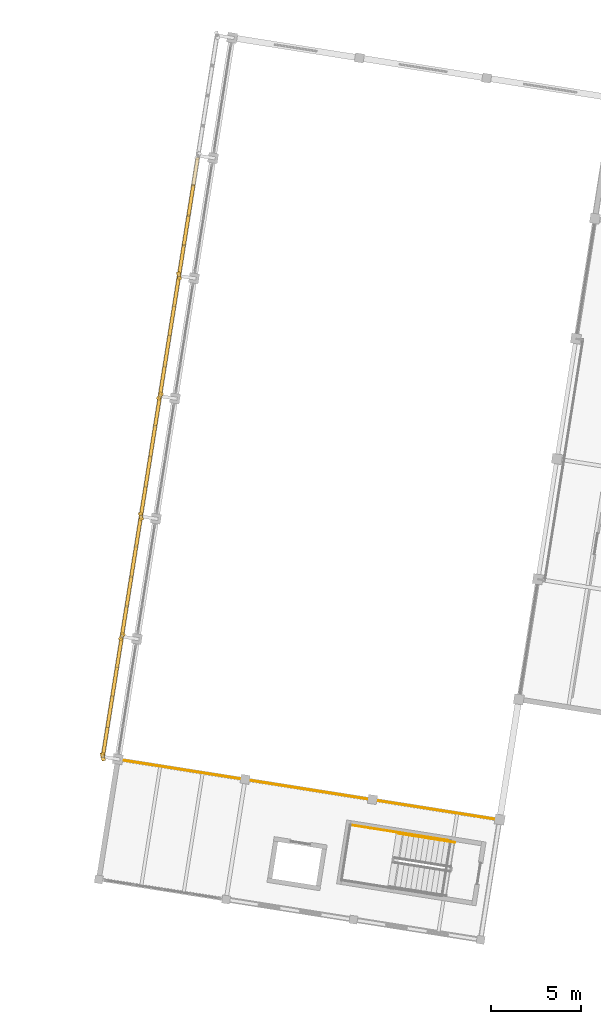
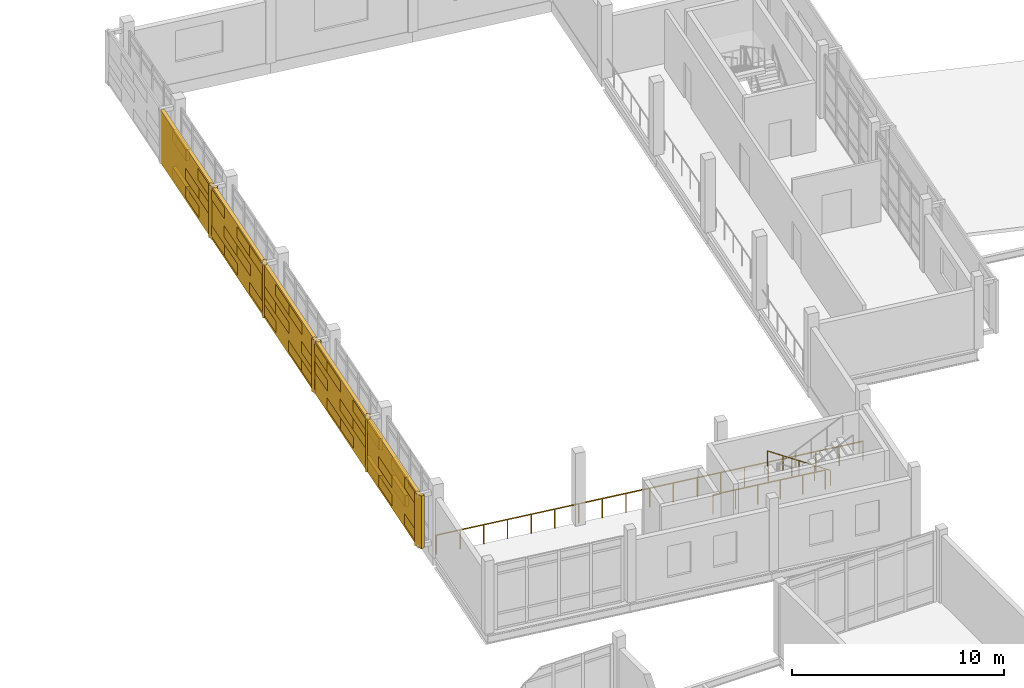
# One storey, part 128 of 137: 43 coverings, 5 shading devices, 3 railings.
"""IFC4 building model written with IfcOpenShell, lengths in metres."""

from ifc_helpers import new_model, si_unit, direction, frame, origin, origin_2d, place, context, subcontext, project, spatial, rectangle, circle, extrude, material, layer, layer_set, type_object, element, save


model = new_model("IFC4")

# Units and contexts
model_context = context("Model", 3, precision=1e-05, world=origin(), true_north=direction((0.0, 1.0)))
body_context = subcontext(model_context, "Body", "Model", "MODEL_VIEW")
ifc_project = project(units=[si_unit("LENGTHUNIT", "METRE"), si_unit("AREAUNIT", "SQUARE_METRE"), si_unit("VOLUMEUNIT", "CUBIC_METRE"), si_unit("PLANEANGLEUNIT", "RADIAN"), si_unit("MASSUNIT", "GRAM", prefix="KILO")], contexts=[model_context])

# Site, building, storey
site_placement = place(None, origin())
site = spatial("IfcSite", under=ifc_project, at=site_placement, CompositionType="ELEMENT")
building_placement = place(site_placement, origin())
building = spatial("IfcBuilding", under=site, at=building_placement, Name="Cinderway Yard Community Centre", CompositionType="ELEMENT")
storey_placement = place(building_placement, frame((0.0, 0.0, 4.800048828125)))
storey = spatial("IfcBuildingStorey", under=building, at=storey_placement, Name="L01", CompositionType="ELEMENT", Elevation=4.800048828125)

# Coverings
ifc_material_1 = material(Name="Brick Masonry", Category="masonry")
ifc_layer = layer(ifc_material_1, 0.18994140625, Name="Brick Masonry")
ifc_layer_set = layer_set([ifc_layer], Name="Brick Masonry")
covering_type = type_object("IfcCoveringType", Name="ENV-COV-BRK-SCREEN", PredefinedType="CLADDING", material=ifc_layer_set)
for number, where, z_axis, x_axis, name in (
    (1, (117.159912109375, 38.133056640625, 0.64990234375), (0.0, 0.0, 1.0), (-0.258819045103, 0.965925826289, 0.0), "Deconstructivist folded brick fin 1283"),
    (2, (118.22412109375, 44.84912109375, 0.64990234375), (0.0, 0.0, 1.0), (0.544639035015, 0.838670567945, 0.0), "Deconstructivist folded brick fin 1284"),
    (3, (119.2880859375, 51.56591796875, 0.64990234375), (0.0, 0.0, 1.0), (-0.258819045103, 0.965925826289, 0.0), "Deconstructivist folded brick fin 1285"),
    (4, (120.35107421875, 58.281982421875, 0.64990234375), (0.0, 0.0, 1.0), (0.544639035015, 0.838670567945, 0.0), "Deconstructivist folded brick fin 1286"),
    (5, (121.4150390625, 64.998046875, 0.64990234375), (0.0, 0.0, 1.0), (-0.258819045103, 0.965925826289, 0.0), "Deconstructivist folded brick fin 1287"),
):
    element("IfcCovering", number, at=place(storey_placement, frame(where, z_axis=z_axis, x_axis=x_axis)), inside=storey, type_object=covering_type, Name=name, PredefinedType="CLADDING", context=body_context, shape_type="SweptSolid", body=[
        extrude(rectangle(XDim=0.4599609375, YDim=0.199951171875, at=origin_2d()), origin(), (0.0, 0.0, 1.0), 3.050048828125),
    ])
for number, where, z_axis, x_axis, name in (
    (6, (117.29296875, 38.972900390625, 0.7900390625), (0.0, 0.0, 1.0), (0.15643446504, 0.987688340595, 0.0), "Open-bond perforated brick screen course 01290"),
    (7, (117.824951171875, 42.3310546875, 0.7900390625), (0.0, 0.0, 1.0), (0.15643446504, 0.987688340595, 0.0), "Open-bond perforated brick screen course 01291"),
    (8, (118.091064453125, 44.009033203125, 0.7900390625), (0.0, 0.0, 1.0), (0.15643446504, 0.987688340595, 0.0), "Open-bond perforated brick screen course 01292"),
    (9, (117.55908203125, 40.65087890625, 1.85205078125), (0.0, 0.0, 1.0), (0.15643446504, 0.987688340595, 0.0), "Open-bond perforated brick screen course 01293"),
    (10, (117.824951171875, 42.3310546875, 1.85205078125), (0.0, 0.0, 1.0), (0.15643446504, 0.987688340595, 0.0), "Open-bond perforated brick screen course 01294"),
    (11, (117.29296875, 38.972900390625, 2.9140625), (0.0, 0.0, 1.0), (0.15643446504, 0.987688340595, 0.0), "Open-bond perforated brick screen course 01295"),
    (12, (117.55908203125, 40.65087890625, 2.9140625), (0.0, 0.0, 1.0), (0.15643446504, 0.987688340595, 0.0), "Open-bond perforated brick screen course 01296"),
    (13, (118.091064453125, 44.009033203125, 2.9140625), (0.0, 0.0, 1.0), (0.15643446504, 0.987688340595, 0.0), "Open-bond perforated brick screen course 01297"),
    (14, (118.623046875, 47.367919921875, 0.7900390625), (0.0, 0.0, 1.0), (0.15643446504, 0.987688340595, 0.0), "Open-bond perforated brick screen course 01298"),
    (15, (118.888916015625, 49.047119140625, 0.7900390625), (0.0, 0.0, 1.0), (0.15643446504, 0.987688340595, 0.0), "Open-bond perforated brick screen course 01299"),
    (16, (118.35693359375, 45.68896484375, 1.85205078125), (0.0, 0.0, 1.0), (0.15643446504, 0.987688340595, 0.0), "Open-bond perforated brick screen course 01300"),
    (17, (118.623046875, 47.367919921875, 1.85205078125), (0.0, 0.0, 1.0), (0.15643446504, 0.987688340595, 0.0), "Open-bond perforated brick screen course 01301"),
    (18, (119.155029296875, 50.72607421875, 1.85205078125), (0.0, 0.0, 1.0), (0.15643446504, 0.987688340595, 0.0), "Open-bond perforated brick screen course 01302"),
    (19, (118.35693359375, 45.68896484375, 2.9140625), (0.0, 0.0, 1.0), (0.15643446504, 0.987688340595, 0.0), "Open-bond perforated brick screen course 01303"),
    (20, (118.888916015625, 49.047119140625, 2.9140625), (0.0, 0.0, 1.0), (0.15643446504, 0.987688340595, 0.0), "Open-bond perforated brick screen course 01304"),
    (21, (119.155029296875, 50.72607421875, 2.9140625), (0.0, 0.0, 1.0), (0.15643446504, 0.987688340595, 0.0), "Open-bond perforated brick screen course 01305"),
    (22, (119.4208984375, 52.406005859375, 0.7900390625), (0.0, 0.0, 1.0), (0.15643446504, 0.987688340595, 0.0), "Open-bond perforated brick screen course 01306"),
    (23, (119.68701171875, 54.083984375, 0.7900390625), (0.0, 0.0, 1.0), (0.15643446504, 0.987688340595, 0.0), "Open-bond perforated brick screen course 01307"),
    (24, (120.218017578125, 57.44189453125, 0.7900390625), (0.0, 0.0, 1.0), (0.15643446504, 0.987688340595, 0.0), "Open-bond perforated brick screen course 01308"),
    (25, (119.4208984375, 52.406005859375, 1.85205078125), (0.0, 0.0, 1.0), (0.15643446504, 0.987688340595, 0.0), "Open-bond perforated brick screen course 01309"),
    (26, (119.951904296875, 55.763916015625, 1.85205078125), (0.0, 0.0, 1.0), (0.15643446504, 0.987688340595, 0.0), "Open-bond perforated brick screen course 01310"),
    (27, (120.218017578125, 57.44189453125, 1.85205078125), (0.0, 0.0, 1.0), (0.15643446504, 0.987688340595, 0.0), "Open-bond perforated brick screen course 01311"),
    (28, (119.68701171875, 54.083984375, 2.9140625), (0.0, 0.0, 1.0), (0.15643446504, 0.987688340595, 0.0), "Open-bond perforated brick screen course 01312"),
    (29, (119.951904296875, 55.763916015625, 2.9140625), (0.0, 0.0, 1.0), (0.15643446504, 0.987688340595, 0.0), "Open-bond perforated brick screen course 01313"),
    (30, (120.48388671875, 59.12109375, 0.7900390625), (0.0, 0.0, 1.0), (0.15643446504, 0.987688340595, 0.0), "Open-bond perforated brick screen course 01314"),
    (31, (121.01611328125, 62.47998046875, 0.7900390625), (0.0, 0.0, 1.0), (0.15643446504, 0.987688340595, 0.0), "Open-bond perforated brick screen course 01315"),
    (32, (121.281982421875, 64.158935546875, 0.7900390625), (0.0, 0.0, 1.0), (0.15643446504, 0.987688340595, 0.0), "Open-bond perforated brick screen course 01316"),
    (33, (120.75, 60.800048828125, 1.85205078125), (0.0, 0.0, 1.0), (0.15643446504, 0.987688340595, 0.0), "Open-bond perforated brick screen course 01317"),
    (34, (121.01611328125, 62.47998046875, 1.85205078125), (0.0, 0.0, 1.0), (0.15643446504, 0.987688340595, 0.0), "Open-bond perforated brick screen course 01318"),
    (35, (120.48388671875, 59.12109375, 2.9140625), (0.0, 0.0, 1.0), (0.15643446504, 0.987688340595, 0.0), "Open-bond perforated brick screen course 01319"),
    (36, (120.75, 60.800048828125, 2.9140625), (0.0, 0.0, 1.0), (0.15643446504, 0.987688340595, 0.0), "Open-bond perforated brick screen course 01320"),
    (37, (121.281982421875, 64.158935546875, 2.9140625), (0.0, 0.0, 1.0), (0.15643446504, 0.987688340595, 0.0), "Open-bond perforated brick screen course 01321"),
    (38, (121.81396484375, 67.51708984375, 0.7900390625), (0.0, 0.0, 1.0), (0.15643446504, 0.987688340595, 0.0), "Open-bond perforated brick screen course 01322"),
    (39, (122.080078125, 69.195068359375, 0.7900390625), (0.0, 0.0, 1.0), (0.15643446504, 0.987688340595, 0.0), "Open-bond perforated brick screen course 01323"),
    (40, (121.548095703125, 65.837890625, 1.85205078125), (0.0, 0.0, 1.0), (0.15643446504, 0.987688340595, 0.0), "Open-bond perforated brick screen course 01324"),
    (41, (121.81396484375, 67.51708984375, 1.85205078125), (0.0, 0.0, 1.0), (0.15643446504, 0.987688340595, 0.0), "Open-bond perforated brick screen course 01325"),
    (42, (121.548095703125, 65.837890625, 2.9140625), (0.0, 0.0, 1.0), (0.15643446504, 0.987688340595, 0.0), "Open-bond perforated brick screen course 01327"),
    (43, (122.080078125, 69.195068359375, 2.9140625), (0.0, 0.0, 1.0), (0.15643446504, 0.987688340595, 0.0), "Open-bond perforated brick screen course 01328"),
):
    element("IfcCovering", number, at=place(storey_placement, frame(where, z_axis=z_axis, x_axis=x_axis)), inside=storey, type_object=covering_type, Name=name, PredefinedType="CLADDING", context=body_context, shape_type="SweptSolid", body=[
        extrude(rectangle(XDim=1.780029296875, YDim=0.18994140625, at=origin_2d()), origin(), (0.0, 0.0, 1.0), 0.64599609375),
    ])

# Shading devices
shading_device_type = type_object("IfcShadingDeviceType", Name="ENV-SHD-BRICKSCREEN-A", PredefinedType="USERDEFINED", material=ifc_material_1)
shading_device_1_placement = place(storey_placement, frame((117.69189453125, 41.490966796875, 0.64990234375), z_axis=(0.0, 0.0, 1.0), x_axis=(0.15643446504, 0.987688340595, 0.0)))
element("IfcShadingDevice", 44, at=shading_device_1_placement, inside=storey, type_object=shading_device_type, Name="Sports Hall Courtyard Perforated Brick Screen 0975", ObjectType="PERFORATED BRICK SCREEN", PredefinedType="USERDEFINED", context=body_context, shape_type="SweptSolid", body=[
    extrude(rectangle(XDim=6.60009765625, YDim=0.18994140625, at=origin_2d()), origin(), (0.0, 0.0, 1.0), 3.050048828125),
])
shading_device_2_placement = place(storey_placement, frame((118.756103515625, 48.20703125, 0.64990234375), z_axis=(0.0, 0.0, 1.0), x_axis=(0.15643446504, 0.987688340595, 0.0)))
element("IfcShadingDevice", 45, at=shading_device_2_placement, inside=storey, type_object=shading_device_type, Name="Sports Hall Courtyard Perforated Brick Screen 0982", ObjectType="PERFORATED BRICK SCREEN", PredefinedType="USERDEFINED", context=body_context, shape_type="SweptSolid", body=[
    extrude(rectangle(XDim=6.60107421875, YDim=0.18994140625, at=origin_2d()), origin(), (0.0, 0.0, 1.0), 3.050048828125),
])
for number, where, z_axis, x_axis, name in (
    (46, (119.820068359375, 54.924072265625, 0.64990234375), (0.0, 0.0, 1.0), (0.15643446504, 0.987688340595, 0.0), "Sports Hall Courtyard Perforated Brick Screen 0989"),
    (47, (120.883056640625, 61.639892578125, 0.64990234375), (0.0, 0.0, 1.0), (0.15643446504, 0.987688340595, 0.0), "Sports Hall Courtyard Perforated Brick Screen 0996"),
    (48, (121.947021484375, 68.35595703125, 0.64990234375), (0.0, 0.0, 1.0), (0.15643446504, 0.987688340595, 0.0), "Sports Hall Courtyard Perforated Brick Screen 1003"),
):
    element("IfcShadingDevice", number, at=place(storey_placement, frame(where, z_axis=z_axis, x_axis=x_axis)), inside=storey, type_object=shading_device_type, Name=name, ObjectType="PERFORATED BRICK SCREEN", PredefinedType="USERDEFINED", context=body_context, shape_type="SweptSolid", body=[
        extrude(rectangle(XDim=6.60009765625, YDim=0.18994140625, at=origin_2d()), origin(), (0.0, 0.0, 1.0), 3.050048828125),
    ])

# Railings
ifc_material_2 = material(Name="Painted Galvanised Steel", Category="steel")
railing_type_1 = type_object("IfcRailingType", Name="INT-RAL-BAL112", PredefinedType="BALUSTRADE", material=ifc_material_2)
railing_1_placement = place(storey_placement, frame((117.9970703125, 37.97998046875, 0.0)))
element("IfcRailing", 49, at=railing_1_placement, inside=storey, type_object=railing_type_1, Name="Sports South Overlook Guard L01 013", PredefinedType="BALUSTRADE", context=body_context, shape_type="SweptSolid", body=[
    extrude(circle(Radius=0.02392578125, at=origin_2d()), frame((0.0, 0.0, 1.09619140625), z_axis=(0.987688805013, -0.156431532791, 0.0), x_axis=(0.156431532791, 0.987688805013, 0.0)), (0.0, 0.0, 1.0), 21.599853515625),
    extrude(circle(Radius=0.02099609375, at=origin_2d()), origin(), (0.0, 0.0, 1.0), 1.072021484375),
    extrude(circle(Radius=0.02099609375, at=origin_2d()), frame((1.185302734375, -0.187744140625, 0.0)), (0.0, 0.0, 1.0), 1.072021484375),
    extrude(circle(Radius=0.02099609375, at=origin_2d()), frame((2.370361328125, -0.37548828125, 0.0)), (0.0, 0.0, 1.0), 1.072021484375),
    extrude(circle(Radius=0.02099609375, at=origin_2d()), frame((3.5556640625, -0.563232421875, 0.0)), (0.0, 0.0, 1.0), 1.072021484375),
    extrude(circle(Radius=0.02099609375, at=origin_2d()), frame((4.740966796875, -0.7509765625, 0.0)), (0.0, 0.0, 1.0), 1.072021484375),
    extrude(circle(Radius=0.02099609375, at=origin_2d()), frame((5.926025390625, -0.9384765625, 0.0)), (0.0, 0.0, 1.0), 1.072021484375),
    extrude(circle(Radius=0.02099609375, at=origin_2d()), frame((7.111328125, -1.126220703125, 0.0)), (0.0, 0.0, 1.0), 1.072021484375),
    extrude(circle(Radius=0.02099609375, at=origin_2d()), frame((8.296630859375, -1.31396484375, 0.0)), (0.0, 0.0, 1.0), 1.072021484375),
    extrude(circle(Radius=0.02099609375, at=origin_2d()), frame((9.481689453125, -1.501708984375, 0.0)), (0.0, 0.0, 1.0), 1.072021484375),
    extrude(circle(Radius=0.02099609375, at=origin_2d()), frame((10.6669921875, -1.689453125, 0.0)), (0.0, 0.0, 1.0), 1.072021484375),
    extrude(circle(Radius=0.02099609375, at=origin_2d()), frame((11.852294921875, -1.877197265625, 0.0)), (0.0, 0.0, 1.0), 1.072021484375),
    extrude(circle(Radius=0.02099609375, at=origin_2d()), frame((13.037353515625, -2.06494140625, 0.0)), (0.0, 0.0, 1.0), 1.072021484375),
    extrude(circle(Radius=0.02099609375, at=origin_2d()), frame((14.22265625, -2.252685546875, 0.0)), (0.0, 0.0, 1.0), 1.072021484375),
    extrude(circle(Radius=0.02099609375, at=origin_2d()), frame((15.407958984375, -2.4404296875, 0.0)), (0.0, 0.0, 1.0), 1.072021484375),
    extrude(circle(Radius=0.02099609375, at=origin_2d()), frame((16.593017578125, -2.6279296875, 0.0)), (0.0, 0.0, 1.0), 1.072021484375),
    extrude(circle(Radius=0.02099609375, at=origin_2d()), frame((17.7783203125, -2.815673828125, 0.0)), (0.0, 0.0, 1.0), 1.072021484375),
    extrude(circle(Radius=0.02099609375, at=origin_2d()), frame((18.963623046875, -3.00341796875, 0.0)), (0.0, 0.0, 1.0), 1.072021484375),
    extrude(circle(Radius=0.02099609375, at=origin_2d()), frame((20.148681640625, -3.191162109375, 0.0)), (0.0, 0.0, 1.0), 1.072021484375),
    extrude(circle(Radius=0.02099609375, at=origin_2d()), frame((21.333984375, -3.37890625, 0.0)), (0.0, 0.0, 1.0), 1.072021484375),
])
railing_type_2 = type_object("IfcRailingType", Name="INT-RAL-GRD112", PredefinedType="GUARDRAIL", material=ifc_material_2)
railing_2_placement = place(storey_placement, frame((136.594970703125, 33.43603515625, 0.0)))
element("IfcRailing", 50, at=railing_2_placement, inside=storey, type_object=railing_type_2, Name="Service void perimeter guard L01 062", PredefinedType="GUARDRAIL", context=body_context, shape_type="SweptSolid", body=[
    extrude(circle(Radius=0.02392578125, at=origin_2d()), frame((0.0, 0.0, 1.09619140625), z_axis=(-0.987703994139, 0.15633560043, 0.0), x_axis=(-0.15633560043, -0.987703994139, 0.0)), (0.0, 0.0, 1.0), 5.6796875),
    extrude(circle(Radius=0.02099609375, at=origin_2d()), origin(), (0.0, 0.0, 1.0), 1.072021484375),
    extrude(circle(Radius=0.02099609375, at=origin_2d()), frame((-1.1220703125, 0.177490234375, 0.0)), (0.0, 0.0, 1.0), 1.072021484375),
    extrude(circle(Radius=0.02099609375, at=origin_2d()), frame((-2.243896484375, 0.355224609375, 0.0)), (0.0, 0.0, 1.0), 1.072021484375),
    extrude(circle(Radius=0.02099609375, at=origin_2d()), frame((-3.365966796875, 0.53271484375, 0.0)), (0.0, 0.0, 1.0), 1.072021484375),
    extrude(circle(Radius=0.02099609375, at=origin_2d()), frame((-4.48779296875, 0.71044921875, 0.0)), (0.0, 0.0, 1.0), 1.072021484375),
    extrude(circle(Radius=0.02099609375, at=origin_2d()), frame((-5.60986328125, 0.887939453125, 0.0)), (0.0, 0.0, 1.0), 1.072021484375),
])
railing_type_3 = type_object("IfcRailingType", Name="INT-RAL-HND090", PredefinedType="HANDRAIL", material=ifc_material_2)
railing_3_placement = place(storey_placement, frame((136.824462890625, 33.34814453125, 0.175048828125)))
element("IfcRailing", 51, at=railing_3_placement, inside=storey, type_object=railing_type_3, Name="L01 ST-07 stair handrail 1", PredefinedType="HANDRAIL", context=body_context, shape_type="SweptSolid", body=[
    extrude(circle(Radius=0.02392578125, at=origin_2d()), frame((0.0, 0.0, 0.8759765625), z_axis=(-0.845681254237, 0.133935571336, 0.516608632296), x_axis=(-0.156426283646, -0.987689636366, 0.0)), (0.0, 0.0, 1.0), 3.725830078125),
    extrude(circle(Radius=0.02099609375, at=origin_2d()), origin(), (0.0, 0.0, 1.0), 0.851806640625),
    extrude(circle(Radius=0.02099609375, at=origin_2d()), frame((-0.78759765625, 0.124755859375, 0.481201171875)), (0.0, 0.0, 1.0), 0.851806640625),
    extrude(circle(Radius=0.02099609375, at=origin_2d()), frame((-1.575439453125, 0.24951171875, 0.96240234375)), (0.0, 0.0, 1.0), 0.851806640625),
    extrude(circle(Radius=0.02099609375, at=origin_2d()), frame((-2.36328125, 0.374267578125, 1.443603515625)), (0.0, 0.0, 1.0), 0.851806640625),
    extrude(circle(Radius=0.02099609375, at=origin_2d()), frame((-3.15087890625, 0.4990234375, 1.9248046875)), (0.0, 0.0, 1.0), 0.851806640625),
])

save(model, "model.ifc")
